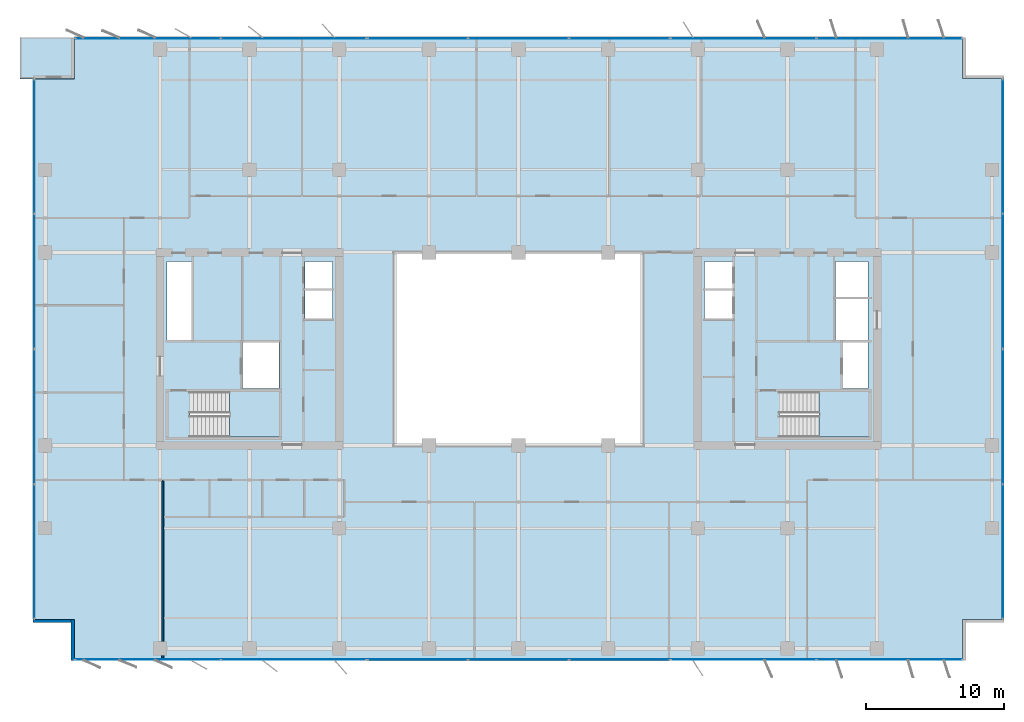
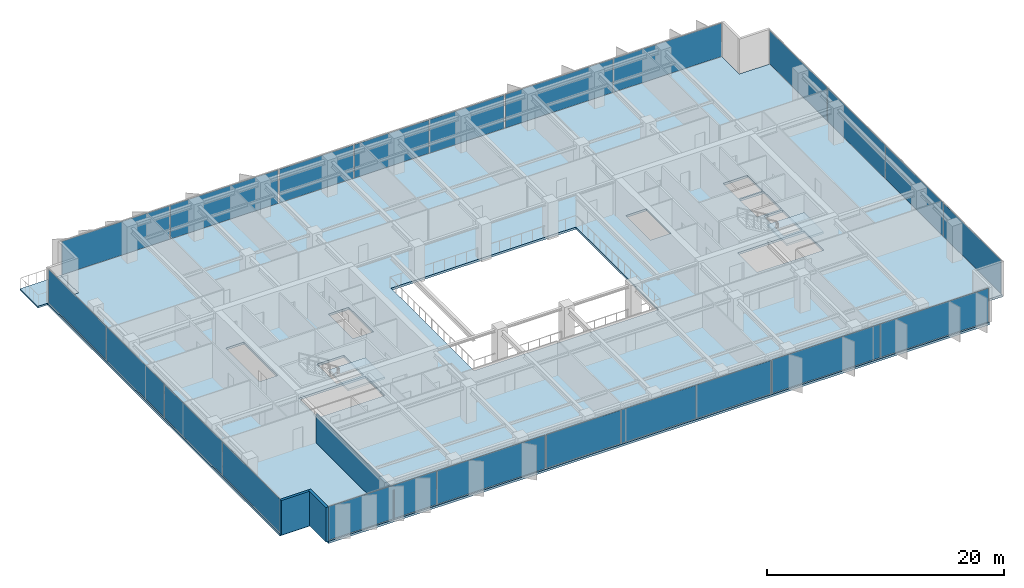
# One storey, part 14 of 22: 22 plates, 4 slabs, 3 walls, 10 elements without a shape of their own.
"""IFC4 building model written with IfcOpenShell, lengths in metres."""

from ifc_helpers import new_model, si_unit, direction, frame, frame_2d, origin, origin_2d, place, context, subcontext, project, spatial, polyline, rectangle, outline, extrude, material, layer, layer_set, type_object, element, aggregate, save


model = new_model("IFC4")

# Units and contexts
model_context = context("Model", 3, precision=1e-05, world=origin(), true_north=direction((0.0, 1.0)))
body_context = subcontext(model_context, "Body", "Model", "MODEL_VIEW")
ifc_project = project(units=[si_unit("LENGTHUNIT", "METRE"), si_unit("AREAUNIT", "SQUARE_METRE"), si_unit("VOLUMEUNIT", "CUBIC_METRE"), si_unit("PLANEANGLEUNIT", "RADIAN"), si_unit("MASSUNIT", "GRAM", prefix="KILO")], contexts=[model_context])

# Site, building, storey
site_placement = place(None, origin())
site = spatial("IfcSite", under=ifc_project, at=site_placement, CompositionType="ELEMENT")
building_placement = place(site_placement, origin())
building = spatial("IfcBuilding", under=site, at=building_placement, Name="Putna Gate Headquarters", CompositionType="ELEMENT")
storey_placement = place(building_placement, frame((0.0, 0.0, 151.800048828125)))
storey = spatial("IfcBuildingStorey", under=building, at=storey_placement, Name="L37", CompositionType="ELEMENT", Elevation=151.800048828125)

# Stair, slab
ifc_material_1 = material(Name="Concrete C40/50", Category="concrete")
stair_type_1 = type_object("IfcStairType", Name="STAIR-ST1", PredefinedType="HALF_TURN_STAIR", material=ifc_material_1)
stair_1_placement = place(storey_placement, origin())
stair_1 = element("IfcStair", 1, at=stair_1_placement, inside=storey, type_object=stair_type_1, Name="L37 West Core Exit Stair ST1", PredefinedType="HALF_TURN_STAIR")
ifc_layer_1 = layer(ifc_material_1, 0.199951171875)
ifc_layer_set_1 = layer_set([ifc_layer_1], Name="Concrete C40/50")
slab_type_1 = type_object("IfcSlabType", Name="LANDING-ST1", PredefinedType="LANDING", material=ifc_layer_set_1)
slab_1_placement = place(storey_placement, frame((0.0, 0.0, 1.699951171875)))
slab_1 = element("IfcSlab", 2, at=slab_1_placement, type_object=slab_type_1, Name="ST1 landing 1", PredefinedType="LANDING", context=body_context, shape_type="SweptSolid", body=[
    extrude(outline(polyline([(18.050048828125, 19.60009765625), (21.64990234375, 19.60009765625), (21.64990234375, 22.89990234375), (18.050048828125, 22.89990234375), (18.050048828125, 19.60009765625)])), origin(), (0.0, 0.0, 1.0), 0.199951171875),
])
aggregate(stair_1, [slab_1])

stair_type_2 = type_object("IfcStairType", Name="STAIR-ST2", PredefinedType="HALF_TURN_STAIR", material=ifc_material_1)
stair_2_placement = place(storey_placement, origin())
stair_2 = element("IfcStair", 3, at=stair_2_placement, inside=storey, type_object=stair_type_2, Name="L37 East Core Exit Stair ST2", PredefinedType="HALF_TURN_STAIR")
ifc_layer_2 = layer(ifc_material_1, 0.199951171875)
ifc_layer_set_2 = layer_set([ifc_layer_2], Name="Concrete C40/50")
slab_type_2 = type_object("IfcSlabType", Name="LANDING-ST2", PredefinedType="LANDING", material=ifc_layer_set_2)
slab_2_placement = place(storey_placement, frame((0.0, 0.0, 1.699951171875)))
slab_2 = element("IfcSlab", 4, at=slab_2_placement, type_object=slab_type_2, Name="ST2 landing 1", PredefinedType="LANDING", context=body_context, shape_type="SweptSolid", body=[
    extrude(outline(polyline([(60.800048828125, 19.60009765625), (64.39990234375, 19.60009765625), (64.39990234375, 22.89990234375), (60.800048828125, 22.89990234375), (60.800048828125, 19.60009765625)])), origin(), (0.0, 0.0, 1.0), 0.199951171875),
])
aggregate(stair_2, [slab_2])

# Curtain wall, plates
ifc_material_2 = material(Name="Anodised bronze aluminium curtain wall", Category="aluminium")
ifc_layer_3 = layer(ifc_material_2, 0.159912109375)
ifc_layer_set_3 = layer_set([ifc_layer_3], Name="Anodised bronze aluminium curtain wall")
curtain_wall_type_1 = type_object("IfcCurtainWallType", Name="CW-SYS-Z3", PredefinedType="USERDEFINED", material=ifc_layer_set_3)
curtain_wall_1_placement = place(storey_placement, origin())
curtain_wall_1 = element("IfcCurtainWall", 5, at=curtain_wall_1_placement, inside=storey, type_object=curtain_wall_type_1, Name="L37 South West Curtain Wall", ObjectType="STICK CURTAIN WALL", PredefinedType="USERDEFINED")
ifc_material_3 = material(Name="Solar-control triple low-E glass", Category="glass")
ifc_layer_4 = layer(ifc_material_3, 0.028076171875)
ifc_layer_set_4 = layer_set([ifc_layer_4], Name="Solar-control triple low-E glass")
plate_type_1 = type_object("IfcPlateType", Name="PAN-CWP-3", PredefinedType="CURTAIN_PANEL", material=ifc_layer_set_4)
plate_1_placement = place(storey_placement, frame((12.1162109375, 3.47998046875, 0.06005859375), z_axis=(0.0, 0.0, 1.0), x_axis=(1.0, 0.0, 0.0)))
plate_1 = element("IfcPlate", 6, at=plate_1_placement, type_object=plate_type_1, Name="CWS-3 panel 1.1", PredefinedType="CURTAIN_PANEL", context=body_context, shape_type="SweptSolid", body=[
    extrude(rectangle(XDim=10.50244140625, YDim=0.028076171875, at=origin_2d()), origin(), (0.0, 0.0, 1.0), 3.451904296875),
])
plate_2_placement = place(storey_placement, frame((22.683837890625, 3.47998046875, 0.06005859375), z_axis=(0.0, 0.0, 1.0), x_axis=(1.0, 0.0, 0.0)))
plate_2 = element("IfcPlate", 7, at=plate_2_placement, type_object=plate_type_1, Name="CWS-3 panel 2.1", PredefinedType="CURTAIN_PANEL", context=body_context, shape_type="SweptSolid", body=[
    extrude(rectangle(XDim=10.50244140625, YDim=0.028076171875, at=origin_2d()), origin(), (0.0, 0.0, 1.0), 3.451904296875),
])
aggregate(curtain_wall_1, [plate_1, plate_2])

curtain_wall_2_placement = place(storey_placement, origin())
curtain_wall_2 = element("IfcCurtainWall", 8, at=curtain_wall_2_placement, inside=storey, type_object=curtain_wall_type_1, Name="L37 South East Curtain Wall", ObjectType="STICK CURTAIN WALL", PredefinedType="USERDEFINED")
plate_3_placement = place(storey_placement, frame((55.316162109375, 3.47998046875, 0.06005859375), z_axis=(0.0, 0.0, 1.0), x_axis=(1.0, 0.0, 0.0)))
plate_3 = element("IfcPlate", 9, at=plate_3_placement, type_object=plate_type_1, Name="CWS-3 panel 1.1", PredefinedType="CURTAIN_PANEL", context=body_context, shape_type="SweptSolid", body=[
    extrude(rectangle(XDim=10.50244140625, YDim=0.028076171875, at=origin_2d()), origin(), (0.0, 0.0, 1.0), 3.451904296875),
])
plate_4_placement = place(storey_placement, frame((65.8837890625, 3.47998046875, 0.06005859375), z_axis=(0.0, 0.0, 1.0), x_axis=(1.0, 0.0, 0.0)))
plate_4 = element("IfcPlate", 10, at=plate_4_placement, type_object=plate_type_1, Name="CWS-3 panel 2.1", PredefinedType="CURTAIN_PANEL", context=body_context, shape_type="SweptSolid", body=[
    extrude(rectangle(XDim=10.50244140625, YDim=0.028076171875, at=origin_2d()), origin(), (0.0, 0.0, 1.0), 3.451904296875),
])
aggregate(curtain_wall_2, [plate_3, plate_4])

curtain_wall_3_placement = place(storey_placement, origin())
curtain_wall_3 = element("IfcCurtainWall", 11, at=curtain_wall_3_placement, inside=storey, type_object=curtain_wall_type_1, Name="L37 North West Curtain Wall", ObjectType="STICK CURTAIN WALL", PredefinedType="USERDEFINED")
plate_5_placement = place(storey_placement, frame((12.1162109375, 48.52001953125, 0.06005859375), z_axis=(0.0, 0.0, 1.0), x_axis=(1.0, 0.0, 0.0)))
plate_5 = element("IfcPlate", 12, at=plate_5_placement, type_object=plate_type_1, Name="CWS-3 panel 1.1", PredefinedType="CURTAIN_PANEL", context=body_context, shape_type="SweptSolid", body=[
    extrude(rectangle(XDim=10.50244140625, YDim=0.028076171875, at=origin_2d()), origin(), (0.0, 0.0, 1.0), 3.451904296875),
])
plate_6_placement = place(storey_placement, frame((22.683837890625, 48.52001953125, 0.06005859375), z_axis=(0.0, 0.0, 1.0), x_axis=(1.0, 0.0, 0.0)))
plate_6 = element("IfcPlate", 13, at=plate_6_placement, type_object=plate_type_1, Name="CWS-3 panel 2.1", PredefinedType="CURTAIN_PANEL", context=body_context, shape_type="SweptSolid", body=[
    extrude(rectangle(XDim=10.50244140625, YDim=0.028076171875, at=origin_2d()), origin(), (0.0, 0.0, 1.0), 3.451904296875),
])
aggregate(curtain_wall_3, [plate_5, plate_6])

curtain_wall_4_placement = place(storey_placement, origin())
curtain_wall_4 = element("IfcCurtainWall", 14, at=curtain_wall_4_placement, inside=storey, type_object=curtain_wall_type_1, Name="L37 North East Curtain Wall", ObjectType="STICK CURTAIN WALL", PredefinedType="USERDEFINED")
plate_7_placement = place(storey_placement, frame((55.316162109375, 48.52001953125, 0.06005859375), z_axis=(0.0, 0.0, 1.0), x_axis=(1.0, 0.0, 0.0)))
plate_7 = element("IfcPlate", 15, at=plate_7_placement, type_object=plate_type_1, Name="CWS-3 panel 1.1", PredefinedType="CURTAIN_PANEL", context=body_context, shape_type="SweptSolid", body=[
    extrude(rectangle(XDim=10.50244140625, YDim=0.028076171875, at=origin_2d()), origin(), (0.0, 0.0, 1.0), 3.451904296875),
])
plate_8_placement = place(storey_placement, frame((65.8837890625, 48.52001953125, 0.06005859375), z_axis=(0.0, 0.0, 1.0), x_axis=(1.0, 0.0, 0.0)))
plate_8 = element("IfcPlate", 16, at=plate_8_placement, type_object=plate_type_1, Name="CWS-3 panel 2.1", PredefinedType="CURTAIN_PANEL", context=body_context, shape_type="SweptSolid", body=[
    extrude(rectangle(XDim=10.50244140625, YDim=0.028076171875, at=origin_2d()), origin(), (0.0, 0.0, 1.0), 3.451904296875),
])
aggregate(curtain_wall_4, [plate_7, plate_8])

curtain_wall_5_placement = place(storey_placement, origin())
curtain_wall_5 = element("IfcCurtainWall", 17, at=curtain_wall_5_placement, inside=storey, type_object=curtain_wall_type_1, Name="L37 West Curtain Wall", ObjectType="STICK CURTAIN WALL", PredefinedType="USERDEFINED")
plate_9_placement = place(storey_placement, frame((3.8798828125, 11.316162109375, 0.06005859375), z_axis=(0.0, 0.0, 1.0), x_axis=(0.0, 1.0, 0.0)))
plate_9 = element("IfcPlate", 18, at=plate_9_placement, type_object=plate_type_1, Name="CWS-3 panel 1.1", PredefinedType="CURTAIN_PANEL", context=body_context, shape_type="SweptSolid", body=[
    extrude(rectangle(XDim=9.702392578125, YDim=0.028076171875, at=origin_2d()), origin(), (0.0, 0.0, 1.0), 3.451904296875),
])
plate_10_placement = place(storey_placement, frame((3.8798828125, 21.10009765625, 0.06005859375), z_axis=(0.0, 0.0, 1.0), x_axis=(0.0, 1.0, 0.0)))
plate_10 = element("IfcPlate", 19, at=plate_10_placement, type_object=plate_type_1, Name="CWS-3 panel 2.1", PredefinedType="CURTAIN_PANEL", context=body_context, shape_type="SweptSolid", body=[
    extrude(rectangle(XDim=9.735107421875, YDim=0.028076171875, at=origin_2d()), origin(), (0.0, 0.0, 1.0), 3.451904296875),
])
plate_11_placement = place(storey_placement, frame((3.8798828125, 30.89990234375, 0.06005859375), z_axis=(0.0, 0.0, 1.0), x_axis=(0.0, 1.0, 0.0)))
plate_11 = element("IfcPlate", 20, at=plate_11_placement, type_object=plate_type_1, Name="CWS-3 panel 3.1", PredefinedType="CURTAIN_PANEL", context=body_context, shape_type="SweptSolid", body=[
    extrude(rectangle(XDim=9.735107421875, YDim=0.028076171875, at=origin_2d()), origin(), (0.0, 0.0, 1.0), 3.451904296875),
])
plate_12_placement = place(storey_placement, frame((3.8798828125, 40.683837890625, 0.06005859375), z_axis=(0.0, 0.0, 1.0), x_axis=(0.0, 1.0, 0.0)))
plate_12 = element("IfcPlate", 21, at=plate_12_placement, type_object=plate_type_1, Name="CWS-3 panel 4.1", PredefinedType="CURTAIN_PANEL", context=body_context, shape_type="SweptSolid", body=[
    extrude(rectangle(XDim=9.702392578125, YDim=0.028076171875, at=origin_2d()), origin(), (0.0, 0.0, 1.0), 3.451904296875),
])
aggregate(curtain_wall_5, [plate_9, plate_10, plate_11, plate_12])

curtain_wall_6_placement = place(storey_placement, origin())
curtain_wall_6 = element("IfcCurtainWall", 22, at=curtain_wall_6_placement, inside=storey, type_object=curtain_wall_type_1, Name="L37 East Curtain Wall", ObjectType="STICK CURTAIN WALL", PredefinedType="USERDEFINED")
plate_13_placement = place(storey_placement, frame((74.1201171875, 11.316162109375, 0.06005859375), z_axis=(0.0, 0.0, 1.0), x_axis=(0.0, 1.0, 0.0)))
plate_13 = element("IfcPlate", 23, at=plate_13_placement, type_object=plate_type_1, Name="CWS-3 panel 1.1", PredefinedType="CURTAIN_PANEL", context=body_context, shape_type="SweptSolid", body=[
    extrude(rectangle(XDim=9.702392578125, YDim=0.028076171875, at=origin_2d()), origin(), (0.0, 0.0, 1.0), 3.451904296875),
])
plate_14_placement = place(storey_placement, frame((74.1201171875, 21.10009765625, 0.06005859375), z_axis=(0.0, 0.0, 1.0), x_axis=(0.0, 1.0, 0.0)))
plate_14 = element("IfcPlate", 24, at=plate_14_placement, type_object=plate_type_1, Name="CWS-3 panel 2.1", PredefinedType="CURTAIN_PANEL", context=body_context, shape_type="SweptSolid", body=[
    extrude(rectangle(XDim=9.735107421875, YDim=0.028076171875, at=origin_2d()), origin(), (0.0, 0.0, 1.0), 3.451904296875),
])
plate_15_placement = place(storey_placement, frame((74.1201171875, 30.89990234375, 0.06005859375), z_axis=(0.0, 0.0, 1.0), x_axis=(0.0, 1.0, 0.0)))
plate_15 = element("IfcPlate", 25, at=plate_15_placement, type_object=plate_type_1, Name="CWS-3 panel 3.1", PredefinedType="CURTAIN_PANEL", context=body_context, shape_type="SweptSolid", body=[
    extrude(rectangle(XDim=9.735107421875, YDim=0.028076171875, at=origin_2d()), origin(), (0.0, 0.0, 1.0), 3.451904296875),
])
plate_16_placement = place(storey_placement, frame((74.1201171875, 40.683837890625, 0.06005859375), z_axis=(0.0, 0.0, 1.0), x_axis=(0.0, 1.0, 0.0)))
plate_16 = element("IfcPlate", 26, at=plate_16_placement, type_object=plate_type_1, Name="CWS-3 panel 4.1", PredefinedType="CURTAIN_PANEL", context=body_context, shape_type="SweptSolid", body=[
    extrude(rectangle(XDim=9.702392578125, YDim=0.028076171875, at=origin_2d()), origin(), (0.0, 0.0, 1.0), 3.451904296875),
])
aggregate(curtain_wall_6, [plate_13, plate_14, plate_15, plate_16])

ifc_layer_5 = layer(ifc_material_2, 0.179931640625)
ifc_layer_set_5 = layer_set([ifc_layer_5], Name="Anodised bronze aluminium curtain wall")
curtain_wall_type_2 = type_object("IfcCurtainWallType", Name="CW-SYS-ATR", PredefinedType="USERDEFINED", material=ifc_layer_set_5)
curtain_wall_7_placement = place(storey_placement, origin())
curtain_wall_7 = element("IfcCurtainWall", 27, at=curtain_wall_7_placement, inside=storey, type_object=curtain_wall_type_2, Name="L37 South Atrium Clear Glazing", ObjectType="ATRIUM GLAZING", PredefinedType="USERDEFINED")
ifc_material_4 = material(Name="Clear low-iron triple glazing", Category="glass")
ifc_layer_6 = layer(ifc_material_4, 0.0400390625)
ifc_layer_set_6 = layer_set([ifc_layer_6], Name="Clear low-iron triple glazing")
plate_type_2 = type_object("IfcPlateType", Name="PAN-CWP-AT", PredefinedType="CURTAIN_PANEL", material=ifc_layer_set_6)
plate_17_placement = place(storey_placement, frame((31.68408203125, 3.47998046875, 0.06982421875), z_axis=(0.0, 0.0, 1.0), x_axis=(1.0, 0.0, 0.0)))
plate_17 = element("IfcPlate", 28, at=plate_17_placement, type_object=plate_type_2, Name="CWS-AT panel 1.1", PredefinedType="CURTAIN_PANEL", context=body_context, shape_type="SweptSolid", body=[
    extrude(rectangle(XDim=7.228271484375, YDim=0.0400390625, at=origin_2d()), origin(), (0.0, 0.0, 1.0), 3.431884765625),
])
plate_18_placement = place(storey_placement, frame((39.0, 3.47998046875, 0.06982421875), z_axis=(0.0, 0.0, 1.0), x_axis=(1.0, 0.0, 0.0)))
plate_18 = element("IfcPlate", 29, at=plate_18_placement, type_object=plate_type_2, Name="CWS-AT panel 2.1", PredefinedType="CURTAIN_PANEL", context=body_context, shape_type="SweptSolid", body=[
    extrude(rectangle(XDim=7.263427734375, YDim=0.0400390625, at=origin_2d()), origin(), (0.0, 0.0, 1.0), 3.431884765625),
])
plate_19_placement = place(storey_placement, frame((46.31591796875, 3.47998046875, 0.06982421875), z_axis=(0.0, 0.0, 1.0), x_axis=(1.0, 0.0, 0.0)))
plate_19 = element("IfcPlate", 30, at=plate_19_placement, type_object=plate_type_2, Name="CWS-AT panel 3.1", PredefinedType="CURTAIN_PANEL", context=body_context, shape_type="SweptSolid", body=[
    extrude(rectangle(XDim=7.228271484375, YDim=0.0400390625, at=origin_2d()), origin(), (0.0, 0.0, 1.0), 3.431884765625),
])
aggregate(curtain_wall_7, [plate_17, plate_18, plate_19])

curtain_wall_8_placement = place(storey_placement, origin())
curtain_wall_8 = element("IfcCurtainWall", 31, at=curtain_wall_8_placement, inside=storey, type_object=curtain_wall_type_2, Name="L37 North Atrium Clear Glazing", ObjectType="ATRIUM GLAZING", PredefinedType="USERDEFINED")
plate_20_placement = place(storey_placement, frame((31.68408203125, 48.52001953125, 0.06982421875), z_axis=(0.0, 0.0, 1.0), x_axis=(1.0, 0.0, 0.0)))
plate_20 = element("IfcPlate", 32, at=plate_20_placement, type_object=plate_type_2, Name="CWS-AT panel 1.1", PredefinedType="CURTAIN_PANEL", context=body_context, shape_type="SweptSolid", body=[
    extrude(rectangle(XDim=7.228271484375, YDim=0.0400390625, at=origin_2d()), origin(), (0.0, 0.0, 1.0), 3.431884765625),
])
plate_21_placement = place(storey_placement, frame((39.0, 48.52001953125, 0.06982421875), z_axis=(0.0, 0.0, 1.0), x_axis=(1.0, 0.0, 0.0)))
plate_21 = element("IfcPlate", 33, at=plate_21_placement, type_object=plate_type_2, Name="CWS-AT panel 2.1", PredefinedType="CURTAIN_PANEL", context=body_context, shape_type="SweptSolid", body=[
    extrude(rectangle(XDim=7.263427734375, YDim=0.0400390625, at=origin_2d()), origin(), (0.0, 0.0, 1.0), 3.431884765625),
])
plate_22_placement = place(storey_placement, frame((46.31591796875, 48.52001953125, 0.06982421875), z_axis=(0.0, 0.0, 1.0), x_axis=(1.0, 0.0, 0.0)))
plate_22 = element("IfcPlate", 34, at=plate_22_placement, type_object=plate_type_2, Name="CWS-AT panel 3.1", PredefinedType="CURTAIN_PANEL", context=body_context, shape_type="SweptSolid", body=[
    extrude(rectangle(XDim=7.228271484375, YDim=0.0400390625, at=origin_2d()), origin(), (0.0, 0.0, 1.0), 3.431884765625),
])
aggregate(curtain_wall_8, [plate_20, plate_21, plate_22])

# Slabs
ifc_layer_7 = layer(ifc_material_1, 0.179931640625)
ifc_layer_set_7 = layer_set([ifc_layer_7], Name="Concrete C40/50")
slab_type_3 = type_object("IfcSlabType", Name="SLAB-TERRACE-180", PredefinedType="FLOOR", material=ifc_layer_set_7)
slab_3_placement = place(storey_placement, frame((0.0, 0.0, -0.179931640625)))
element("IfcSlab", 35, at=slab_3_placement, inside=storey, type_object=slab_type_3, Name="L37 Spiral Sky-Garden Terrace Slab (NW)", PredefinedType="FLOOR", context=body_context, shape_type="SweptSolid", body=[
    extrude(outline(polyline([(2.85009765625, 45.592041015625), (6.80810546875, 45.592041015625), (6.80810546875, 48.60009765625), (2.85009765625, 48.60009765625), (2.85009765625, 45.592041015625)])), origin(), (0.0, 0.0, 1.0), 0.179931640625),
])
ifc_layer_8 = layer(ifc_material_1, 0.22802734375)
ifc_layer_set_8 = layer_set([ifc_layer_8], Name="Concrete C40/50")
slab_type_4 = type_object("IfcSlabType", Name="SLAB-Z3-228", PredefinedType="FLOOR", material=ifc_layer_set_8)
slab_4_placement = place(storey_placement, frame((0.0, 0.0, -0.22802734375)))
element("IfcSlab", 36, at=slab_4_placement, inside=storey, type_object=slab_type_4, Name="L37 Composite Floor Slab", PredefinedType="FLOOR", context=body_context, shape_type="SweptSolid", body=[
    extrude(outline(polyline([(6.800048828125, 3.39990234375), (71.199951171875, 3.39990234375), (71.199951171875, 6.39990234375), (74.199951171875, 6.39990234375), (74.199951171875, 45.60009765625), (71.199951171875, 45.60009765625), (71.199951171875, 48.60009765625), (6.800048828125, 48.60009765625), (6.800048828125, 45.60009765625), (3.800048828125, 45.60009765625), (3.800048828125, 6.39990234375), (6.800048828125, 6.39990234375), (6.800048828125, 3.39990234375)]), holes=[polyline([(15.1650390625, 19.60009765625), (21.64990234375, 19.60009765625), (21.64990234375, 22.89990234375), (15.1650390625, 22.89990234375), (15.1650390625, 19.60009765625)]), polyline([(57.9150390625, 19.60009765625), (64.39990234375, 19.60009765625), (64.39990234375, 22.89990234375), (57.9150390625, 22.89990234375), (57.9150390625, 19.60009765625)]), polyline([(13.52001953125, 26.659912109375), (15.280029296875, 26.659912109375), (15.280029296875, 32.35009765625), (13.52001953125, 32.35009765625), (13.52001953125, 26.659912109375)]), polyline([(61.969970703125, 29.780029296875), (64.35009765625, 29.780029296875), (64.35009765625, 32.35009765625), (61.969970703125, 32.35009765625), (61.969970703125, 29.780029296875)]), polyline([(18.97998046875, 23.1201171875), (21.6201171875, 23.1201171875), (21.6201171875, 26.4599609375), (18.97998046875, 26.4599609375), (18.97998046875, 23.1201171875)]), polyline([(62.52001953125, 23.1201171875), (64.35009765625, 23.1201171875), (64.35009765625, 26.4599609375), (62.52001953125, 26.4599609375), (62.52001953125, 23.1201171875)]), polyline([(61.969970703125, 26.659912109375), (64.35009765625, 26.659912109375), (64.35009765625, 29.6201171875), (61.969970703125, 29.6201171875), (61.969970703125, 26.659912109375)]), polyline([(23.5, 28.199951171875), (25.5, 28.199951171875), (25.5, 32.35009765625), (23.5, 32.35009765625), (23.5, 28.199951171875)]), polyline([(52.47998046875, 28.199951171875), (54.5, 28.199951171875), (54.5, 32.35009765625), (52.47998046875, 32.35009765625), (52.47998046875, 28.199951171875)]), polyline([(30.0, 19.0), (48.0, 19.0), (48.0, 33.0), (30.0, 33.0), (30.0, 19.0)])]), origin(), (0.0, 0.0, 1.0), 0.22802734375),
])

# Walls
ifc_material_5 = material(Name="Precast concrete C40/50", Category="concrete")
ifc_layer_9 = layer(ifc_material_5, 0.239990234375)
ifc_layer_set_9 = layer_set([ifc_layer_9], Name="Precast concrete C40/50")
wall_type_1 = type_object("IfcWallType", Name="WALL-EXT-TERR-240", PredefinedType="STANDARD", material=ifc_layer_set_9)
for number, where, z_axis, x_axis, name in (
    (37, (6.679931640625, 3.39990234375, 0.0), (0.0, 0.0, 1.0), (0.0, 1.0, 0.0), "L37 Corner Notch Return Wall SW-V"),
    (38, (6.800048828125, 6.280029296875, 0.0), (0.0, 0.0, 1.0), (-1.0, 0.0, 0.0), "L37 Corner Notch Return Wall SW-H"),
):
    element("IfcWall", number, at=place(storey_placement, frame(where, z_axis=z_axis, x_axis=x_axis)), inside=storey, type_object=wall_type_1, Name=name, PredefinedType="STANDARD", context=body_context, shape_type="SweptSolid", body=[
        extrude(rectangle(XDim=3.0, YDim=0.239990234375, at=frame_2d((1.5, 0.0))), origin(), (0.0, 0.0, 1.0), 3.572021484375),
    ])
ifc_material_6 = material(Name="Acoustic gypsum board on metal stud")
ifc_layer_10 = layer(ifc_material_6, 0.1201171875)
ifc_layer_set_10 = layer_set([ifc_layer_10], Name="Acoustic gypsum board on metal stud")
wall_type_2 = type_object("IfcWallType", Name="WALL-PART-120", PredefinedType="PARTITIONING", material=ifc_layer_set_10)
wall_placement = place(storey_placement, frame((13.199951171875, 3.419921875, 0.0), z_axis=(0.0, 0.0, 1.0), x_axis=(0.0, 1.0, 0.0)))
element("IfcWall", 39, at=wall_placement, inside=storey, type_object=wall_type_2, Name="L37 Interior Wall PART-L37-SB-DIV-01", PredefinedType="PARTITIONING", context=body_context, shape_type="SweptSolid", body=[
    extrude(rectangle(XDim=13.02001953125, YDim=0.1201171875, at=frame_2d((6.510009765625, 0.0))), origin(), (0.0, 0.0, 1.0), 3.02197265625),
])

save(model, "model.ifc")
